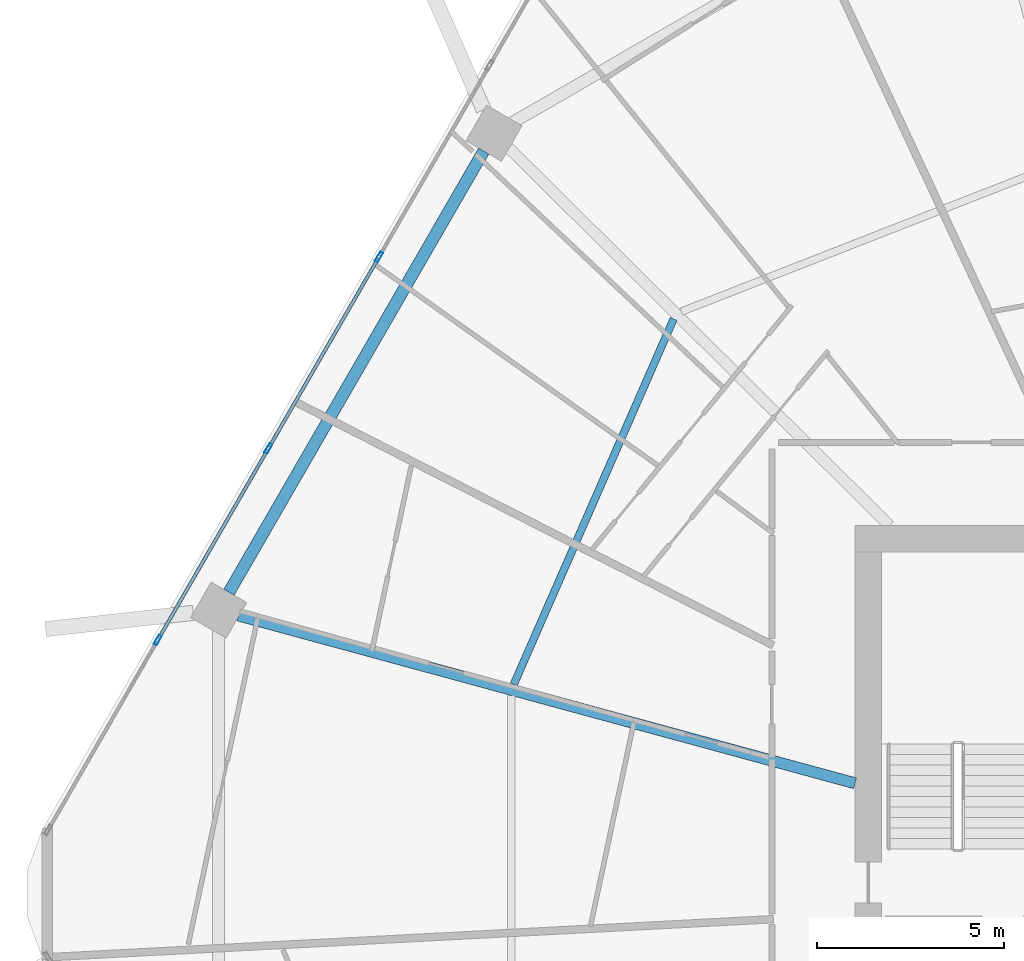
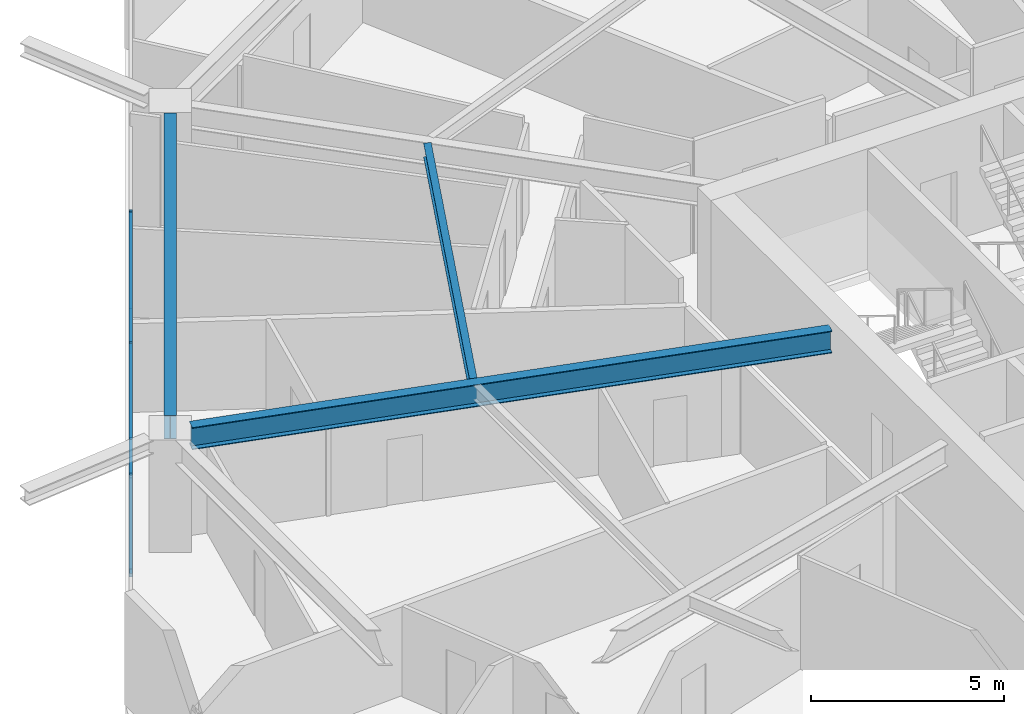
# One storey, part 12 of 29: 7 members, 3 beams, 1 element without a shape of its own.
"""IFC4 building model written with IfcOpenShell, lengths in metres."""

from ifc_helpers import new_model, si_unit, direction, frame, origin, origin_2d, place, context, subcontext, project, spatial, hollow_rectangle, i_section, extrude, material, material_profile, profile_set, type_object, element, aggregate, save


model = new_model("IFC4")

# Units and contexts
model_context = context("Model", 3, precision=1e-05, world=origin(), true_north=direction((0.0, 1.0)))
body_context = subcontext(model_context, "Body", "Model", "MODEL_VIEW")
ifc_project = project(units=[si_unit("LENGTHUNIT", "METRE"), si_unit("AREAUNIT", "SQUARE_METRE"), si_unit("VOLUMEUNIT", "CUBIC_METRE"), si_unit("PLANEANGLEUNIT", "RADIAN"), si_unit("MASSUNIT", "GRAM", prefix="KILO")], contexts=[model_context])

# Site, building, storey
site_placement = place(None, origin())
site = spatial("IfcSite", under=ifc_project, at=site_placement, CompositionType="ELEMENT")
building_placement = place(site_placement, origin())
building = spatial("IfcBuilding", under=site, at=building_placement, Name="Zuhravey Tower", CompositionType="ELEMENT")
storey_placement = place(building_placement, frame((0.0, 0.0, 134.199951171875)))
storey = spatial("IfcBuildingStorey", under=building, at=storey_placement, Name="L33", CompositionType="ELEMENT", Elevation=134.199951171875)

# Curtain wall, members
ifc_material_1 = material(Name="Thermally broken anodised aluminium", Category="aluminium")
curtain_wall_type = type_object("IfcCurtainWallType", Name="Zone 1-2 Residential Curtain Wall CW3", PredefinedType="NOTDEFINED", material=ifc_material_1)
curtain_wall_placement = place(storey_placement, origin())
curtain_wall = element("IfcCurtainWall", 1, at=curtain_wall_placement, inside=storey, type_object=curtain_wall_type, Name="L33 CW3 CW-L33-F3-1", PredefinedType="NOTDEFINED")
ifc_material_2 = material(Name="Anodised aluminium", Category="aluminium")
ifc_material_profile_1 = material_profile(ifc_material_2, hollow_rectangle(XDim=0.090087890625, YDim=0.284912109375, WallThickness=0.0048828125, at=origin_2d()), Name="ALU-RHS-90x285x5")
ifc_profile_set_1 = profile_set([ifc_material_profile_1], Name="Anodised aluminium")
member_type_1 = type_object("IfcMemberType", Name="Curtain-Wall Mullion 90x180", PredefinedType="MULLION", material=ifc_profile_set_1)
member_1_placement = place(storey_placement, frame((6.4814453125, 38.789306640625, 0.0), z_axis=(0.0, 0.0, 1.0), x_axis=(-0.86602552265, 0.499999794119, 0.0)))
member_1 = element("IfcMember", 2, at=member_1_placement, type_object=member_type_1, Name="CW3 mullion 2", PredefinedType="MULLION", context=body_context, shape_type="SweptSolid", body=[
    extrude(hollow_rectangle(XDim=0.090087890625, YDim=0.284912109375, WallThickness=0.0048828125, at=origin_2d()), origin(), (0.0, 0.0, 1.0), 3.1220703125),
])
member_2_placement = place(storey_placement, frame((9.44140625, 43.916015625, 0.0), z_axis=(0.0, 0.0, 1.0), x_axis=(-0.86602552265, 0.499999794119, 0.0)))
member_2 = element("IfcMember", 3, at=member_2_placement, type_object=member_type_1, Name="CW3 mullion 3", PredefinedType="MULLION", context=body_context, shape_type="SweptSolid", body=[
    extrude(hollow_rectangle(XDim=0.090087890625, YDim=0.284912109375, WallThickness=0.0048828125, at=origin_2d()), origin(), (0.0, 0.0, 1.0), 3.1220703125),
])
member_3_placement = place(storey_placement, frame((12.401123046875, 49.04248046875, 0.0), z_axis=(0.0, 0.0, 1.0), x_axis=(-0.86602552265, 0.499999794119, 0.0)))
member_3 = element("IfcMember", 4, at=member_3_placement, type_object=member_type_1, Name="CW3 mullion 4", PredefinedType="MULLION", context=body_context, shape_type="SweptSolid", body=[
    extrude(hollow_rectangle(XDim=0.090087890625, YDim=0.284912109375, WallThickness=0.0048828125, at=origin_2d()), origin(), (0.0, 0.0, 1.0), 3.1220703125),
])
ifc_material_profile_2 = material_profile(ifc_material_2, hollow_rectangle(XDim=0.090087890625, YDim=0.14990234375, WallThickness=0.0048828125, at=origin_2d()), Name="ALU-RHS-90x150x5")
ifc_profile_set_2 = profile_set([ifc_material_profile_2], Name="Anodised aluminium")
member_type_2 = type_object("IfcMemberType", Name="Curtain-Wall Transom 90x150", PredefinedType="USERDEFINED", material=ifc_profile_set_2)
member_4_placement = place(storey_placement, frame((6.50390625, 38.828125, 0.045166015625), z_axis=(0.499981042766, 0.866036348472, 0.0), x_axis=(-0.866036348472, 0.499981042766, 0.0)))
member_4 = element("IfcMember", 5, at=member_4_placement, type_object=member_type_2, Name="CW3 transom 2.1", ObjectType="TRANSOM", PredefinedType="USERDEFINED", context=body_context, shape_type="SweptSolid", body=[
    extrude(hollow_rectangle(XDim=0.090087890625, YDim=0.14990234375, WallThickness=0.0048828125, at=origin_2d()), origin(), (0.0, 0.0, 1.0), 5.829833984375),
])
member_5_placement = place(storey_placement, frame((6.50390625, 38.828125, 3.0771484375), z_axis=(0.499981042766, 0.866036348472, 0.0), x_axis=(-0.866036348472, 0.499981042766, 0.0)))
member_5 = element("IfcMember", 6, at=member_5_placement, type_object=member_type_2, Name="CW3 transom 2.2", ObjectType="TRANSOM", PredefinedType="USERDEFINED", context=body_context, shape_type="SweptSolid", body=[
    extrude(hollow_rectangle(XDim=0.090087890625, YDim=0.14990234375, WallThickness=0.0048828125, at=origin_2d()), origin(), (0.0, 0.0, 1.0), 5.829833984375),
])
member_6_placement = place(storey_placement, frame((9.4638671875, 43.954833984375, 0.045166015625), z_axis=(0.499981042766, 0.866036348472, 0.0), x_axis=(-0.866036348472, 0.499981042766, 0.0)))
member_6 = element("IfcMember", 7, at=member_6_placement, type_object=member_type_2, Name="CW3 transom 3.1", ObjectType="TRANSOM", PredefinedType="USERDEFINED", context=body_context, shape_type="SweptSolid", body=[
    extrude(hollow_rectangle(XDim=0.090087890625, YDim=0.14990234375, WallThickness=0.0048828125, at=origin_2d()), origin(), (0.0, 0.0, 1.0), 5.829833984375),
])
member_7_placement = place(storey_placement, frame((9.4638671875, 43.954833984375, 3.0771484375), z_axis=(0.499981042766, 0.866036348472, 0.0), x_axis=(-0.866036348472, 0.499981042766, 0.0)))
member_7 = element("IfcMember", 8, at=member_7_placement, type_object=member_type_2, Name="CW3 transom 3.2", ObjectType="TRANSOM", PredefinedType="USERDEFINED", context=body_context, shape_type="SweptSolid", body=[
    extrude(hollow_rectangle(XDim=0.090087890625, YDim=0.14990234375, WallThickness=0.0048828125, at=origin_2d()), origin(), (0.0, 0.0, 1.0), 5.829833984375),
])
aggregate(curtain_wall, [member_1, member_2, member_3, member_4, member_5, member_6, member_7])

# Beams
ifc_material_3 = material(Name="Steel SM355", Category="steel")
ifc_material_profile_3 = material_profile(ifc_material_3, i_section(OverallWidth=0.320068359375, OverallDepth=0.75, WebThickness=0.013916015625, FlangeThickness=0.02490234375, at=origin_2d()), Name="H-750x320x14x25")
ifc_profile_set_3 = profile_set([ifc_material_profile_3], Name="Steel SM355")
beam_type_1 = type_object("IfcBeamType", Name="Perimeter Ring Beam H750x320", PredefinedType="BEAM", material=ifc_profile_set_3)
beam_1_placement = place(storey_placement, frame((15.20458984375, 51.8779296875, 3.175048828125), z_axis=(-0.500008177929, -0.866020682204, 0.0), x_axis=(0.866020682204, -0.500008177929, 0.0)))
element("IfcBeam", 9, at=beam_1_placement, inside=storey, type_object=beam_type_1, Name="L33 PB1 BM-L33-PB-05", PredefinedType="BEAM", context=body_context, shape_type="SweptSolid", body=[
    extrude(i_section(OverallWidth=0.320068359375, OverallDepth=0.75, WebThickness=0.013916015625, FlangeThickness=0.02490234375, at=origin_2d()), origin(), (0.0, 0.0, 1.0), 13.634033203125),
])
ifc_material_profile_4 = material_profile(ifc_material_3, i_section(OverallWidth=0.300048828125, OverallDepth=0.699951171875, WebThickness=0.012939453125, FlangeThickness=0.02392578125, at=origin_2d()), Name="H-700x300x13x24")
ifc_profile_set_4 = profile_set([ifc_material_profile_4], Name="Steel SM355")
beam_type_2 = type_object("IfcBeamType", Name="Radial Primary Girder H700x300", PredefinedType="BEAM", material=ifc_profile_set_4)
beam_2_placement = place(storey_placement, frame((25.14697265625, 34.954345703125, 3.199951171875), z_axis=(-0.964893166225, 0.262642680791, 0.0), x_axis=(-0.262642680791, -0.964893166225, 0.0)))
element("IfcBeam", 10, at=beam_2_placement, inside=storey, type_object=beam_type_2, Name="L33 RG1 BM-L33-RAD-06", PredefinedType="BEAM", context=body_context, shape_type="SweptSolid", body=[
    extrude(i_section(OverallWidth=0.300048828125, OverallDepth=0.699951171875, WebThickness=0.012939453125, FlangeThickness=0.02392578125, at=origin_2d()), origin(), (0.0, 0.0, 1.0), 17.102783203125),
])
ifc_material_profile_5 = material_profile(ifc_material_3, i_section(OverallWidth=0.199951171875, OverallDepth=0.449951171875, WebThickness=0.009033203125, FlangeThickness=0.013916015625, at=origin_2d()), Name="H-450x200x9x14")
ifc_profile_set_5 = profile_set([ifc_material_profile_5], Name="Steel SM355")
beam_type_3 = type_object("IfcBeamType", Name="Secondary Floor Joist H450x200", PredefinedType="JOIST", material=ifc_profile_set_5)
beam_3_placement = place(storey_placement, frame((20.28955078125, 47.384033203125, 3.324951171875), z_axis=(-0.400786454617, -0.916171500209, 0.0), x_axis=(0.916171500209, -0.400786454617, 0.0)))
element("IfcBeam", 11, at=beam_3_placement, inside=storey, type_object=beam_type_3, Name="L33 SJ1 BM-L33-SJ-05-1", PredefinedType="JOIST", context=body_context, shape_type="SweptSolid", body=[
    extrude(i_section(OverallWidth=0.199951171875, OverallDepth=0.449951171875, WebThickness=0.009033203125, FlangeThickness=0.013916015625, at=origin_2d()), origin(), (0.0, 0.0, 1.0), 10.6796875),
])

save(model, "model.ifc")
